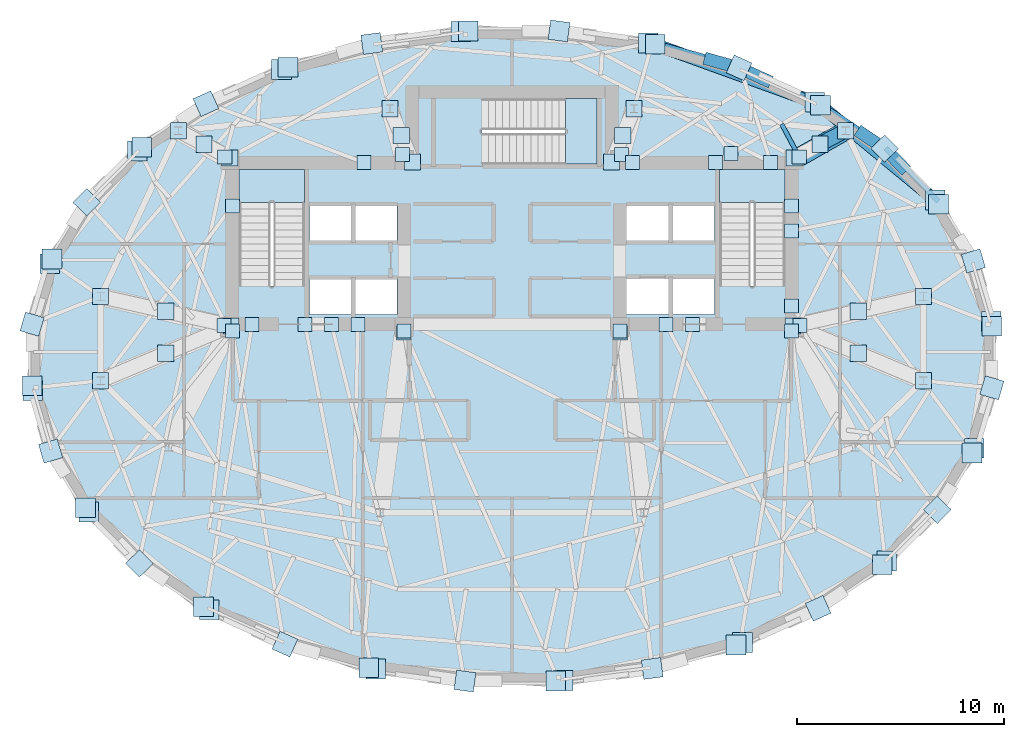
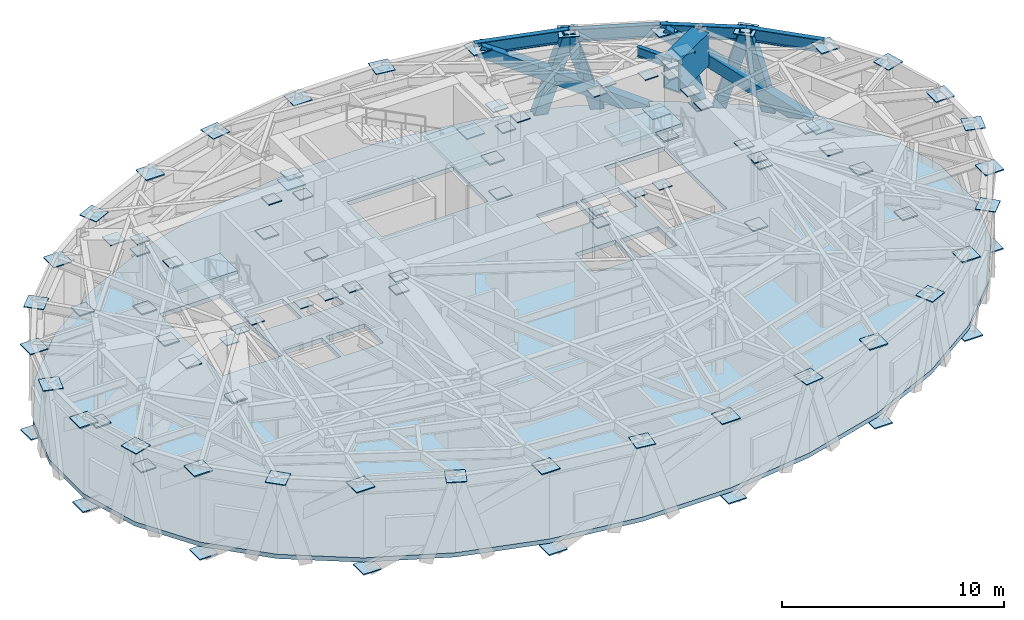
# One storey, part 5 of 12: 99 plates, 7 members, 6 beams, 4 slabs, 3 elements without a shape of their own.
"""IFC4 building model written with IfcOpenShell, lengths in metres."""

import ifcopenshell
import ifcopenshell.guid

model = None  # the IFC model being written
_history = None  # IfcOwnerHistory: only IFC2X3 demands one
_inside = {}  # id of a spatial element -> (the spatial element, [elements in it])
_under = {}  # id of a project, library or spatial element -> (it, [spatial elements below it])
_declared = {}  # id of a project -> (the project, [libraries it declares])
_typed = {}  # id of a type object -> (the type object, [elements of that type])
_made_of = {}  # id of a material, layer set ... -> (it, [elements and type objects made of it])


def new_model(schema):
    """Start an empty IFC model of exactly this schema.

    Asked for "IFC4X3", IfcOpenShell would pick the latest addendum, in which some entities
    have other attributes; the version numbers below select the first issue.
    IFC2X3 requires an IfcOwnerHistory on every rooted entity: one is made here for all.
    """
    global model, _history
    if schema == "IFC4X3":
        model = ifcopenshell.file(schema_version=(4, 3, 0, 0))
    else:
        model = ifcopenshell.file(schema=schema)
    _inside.clear()
    _under.clear()
    _declared.clear()
    _typed.clear()
    _made_of.clear()
    _history = None
    if model.schema == "IFC2X3":
        org = make("IfcOrganization", Name="unknown")
        user = make(
            "IfcPersonAndOrganization",
            ThePerson=make("IfcPerson", FamilyName="unknown"),
            TheOrganization=org,
        )
        app = make(
            "IfcApplication",
            ApplicationDeveloper=org,
            Version="unknown",
            ApplicationFullName="unknown",
            ApplicationIdentifier="unknown",
        )
        _history = make(
            "IfcOwnerHistory",
            OwningUser=user,
            OwningApplication=app,
            ChangeAction="ADDED",
            CreationDate=0,
        )
    return model


def make(cls, **values):
    """One entity of the class cls with the attributes given. An attribute that is None is left unset."""
    return model.create_entity(
        cls, **{name: value for name, value in values.items() if value is not None}
    )


def rooted(cls, **values):
    """An entity with a GlobalId (a new one), such as an element, a storey or a relation."""
    return make(cls, GlobalId=ifcopenshell.guid.new(), OwnerHistory=_history, **values)


def si_unit(unit_type, name, prefix=None):
    """IfcSIUnit, for example si_unit("LENGTHUNIT", "METRE", prefix="MILLI")."""
    return make("IfcSIUnit", UnitType=unit_type, Prefix=prefix, Name=name)


def assignment(units):
    """IfcUnitAssignment: the units of a project."""
    return None if units is None else make("IfcUnitAssignment", Units=units)


def point(xyz):
    """IfcCartesianPoint."""
    return None if xyz is None else make("IfcCartesianPoint", Coordinates=xyz)


def direction(xyz):
    """IfcDirection."""
    return None if xyz is None else make("IfcDirection", DirectionRatios=xyz)


def frame(location, z_axis=None, x_axis=None):
    """IfcAxis2Placement3D, a coordinate frame: its origin and axes. An axis left out is left unset."""
    return make(
        "IfcAxis2Placement3D",
        Location=point(location),
        Axis=direction(z_axis),
        RefDirection=direction(x_axis),
    )


def frame_2d(location, x_axis=None):
    """IfcAxis2Placement2D, a coordinate frame in the plane: its origin and x axis."""
    return make(
        "IfcAxis2Placement2D", Location=point(location), RefDirection=direction(x_axis)
    )


def origin():
    """The frame at (0, 0, 0) with its axes left unset."""
    return frame((0.0, 0.0, 0.0))


def origin_2d():
    """The frame at (0, 0) in the plane with its x axis left unset."""
    return frame_2d((0.0, 0.0))


def place(relative_to, where):
    """IfcLocalPlacement: puts the frame where relative to a parent placement (None: the world)."""
    return make(
        "IfcLocalPlacement", PlacementRelTo=relative_to, RelativePlacement=where
    )


def context(
    kind, dimensions, precision=None, world=None, true_north=None, identifier=None
):
    """IfcGeometricRepresentationContext, for example the 3D "Model" context."""
    return make(
        "IfcGeometricRepresentationContext",
        ContextIdentifier=identifier,
        ContextType=kind,
        CoordinateSpaceDimension=dimensions,
        Precision=precision,
        WorldCoordinateSystem=world,
        TrueNorth=true_north,
    )


def subcontext(parent, identifier, kind, view, scale=None):
    """IfcGeometricRepresentationSubContext, for example "Body" below "Model"."""
    return make(
        "IfcGeometricRepresentationSubContext",
        ContextIdentifier=identifier,
        ContextType=kind,
        ParentContext=parent,
        TargetScale=scale,
        TargetView=view,
    )


def project(units=None, contexts=None):
    """IfcProject with its units and contexts."""
    return rooted(
        "IfcProject",
        Name="project",
        RepresentationContexts=contexts,
        UnitsInContext=assignment(units),
    )


def spatial(cls, under=None, at=None, **own):
    """A site, building, storey or space (cls), placed at a placement, below another one or the project."""
    s = rooted(cls, ObjectPlacement=at, **own)
    if under is not None:
        _under.setdefault(under.id(), (under, []))[1].append(s)
    return s


def polyline(points):
    """IfcPolyline through the points."""
    return make("IfcPolyline", Points=[point(p) for p in points])


def profile(cls, at=None, kind="AREA", **sizes):
    """A parametric profile (cls). Its sizes go by their IFC names, for example OverallWidth=200.0."""
    return make(cls, ProfileType=kind, Position=at, **sizes)


def rectangle(**sizes):
    """IfcRectangleProfileDef."""
    return profile("IfcRectangleProfileDef", **sizes)


def hollow_rectangle(**sizes):
    """IfcRectangleHollowProfileDef."""
    return profile("IfcRectangleHollowProfileDef", **sizes)


def hollow_circle(**sizes):
    """IfcCircleHollowProfileDef."""
    return profile("IfcCircleHollowProfileDef", **sizes)


def i_section(**sizes):
    """IfcIShapeProfileDef."""
    return profile("IfcIShapeProfileDef", **sizes)


def outline(outer, holes=None, kind="AREA"):
    """IfcArbitraryClosedProfileDef: a profile drawn as a closed curve; with holes, ...WithVoids."""
    if holes is None:
        return make("IfcArbitraryClosedProfileDef", ProfileType=kind, OuterCurve=outer)
    return make(
        "IfcArbitraryProfileDefWithVoids",
        ProfileType=kind,
        OuterCurve=outer,
        InnerCurves=holes,
    )


def extrude(swept, where, along, depth):
    """IfcExtrudedAreaSolid: the profile swept, set in the frame where, extruded along a direction by depth."""
    return make(
        "IfcExtrudedAreaSolid",
        SweptArea=swept,
        Position=where,
        ExtrudedDirection=direction(along),
        Depth=depth,
    )


def shape(context_of_items, identifier, shape_type, items):
    """IfcShapeRepresentation: the items that make up one representation, for example the "Body"."""
    return make(
        "IfcShapeRepresentation",
        ContextOfItems=context_of_items,
        RepresentationIdentifier=identifier,
        RepresentationType=shape_type,
        Items=items,
    )


def material(Name=None, Category=None):
    """IfcMaterial."""
    return make("IfcMaterial", Name=Name, Category=Category)


def layer(
    of_material, thickness, ventilated=None, Name=None, Category=None, Priority=None
):
    """IfcMaterialLayer: one layer of a wall or slab, of a material (None: an air gap)."""
    return make(
        "IfcMaterialLayer",
        Material=of_material,
        LayerThickness=thickness,
        IsVentilated=ventilated,
        Name=Name,
        Category=Category,
        Priority=Priority,
    )


def layer_set(layers, Name=None):
    """IfcMaterialLayerSet."""
    return make("IfcMaterialLayerSet", MaterialLayers=layers, LayerSetName=Name)


def material_profile(
    of_material, cross_section, Name=None, Category=None, Priority=None
):
    """IfcMaterialProfile: a cross section and its material."""
    return make(
        "IfcMaterialProfile",
        Name=Name,
        Material=of_material,
        Profile=cross_section,
        Priority=Priority,
        Category=Category,
    )


def profile_set(profiles, Name=None, composite=None):
    """IfcMaterialProfileSet."""
    return make(
        "IfcMaterialProfileSet",
        Name=Name,
        MaterialProfiles=profiles,
        CompositeProfile=composite,
    )


def made_of(thing, what):
    """Note that an element or type object is made of a material, layer set ...; save() writes the relation."""
    if what is not None:
        _made_of.setdefault(what.id(), (what, []))[1].append(thing)
    return thing


def type_object(cls, material=None, **own):
    """A type object (cls), such as IfcWallType, which elements share."""
    return made_of(rooted(cls, **own), material)


def element(
    cls,
    number,
    at=None,
    inside=None,
    cuts=None,
    type_object=None,
    material=None,
    context=None,
    identifier="Body",
    shape_type=None,
    held_by="IfcProductDefinitionShape",
    body=None,
    shapes=None,
    **own,
):
    """One element of the class cls, such as IfcWall. Its Tag is "e" and its number.

    at: its placement. inside: the storey or other place that contains it. cuts: it is an
    opening in that element (IfcRelVoidsElement). A single representation is given by context,
    identifier, shape_type and body (its items); several are given by shapes. held_by: the class
    of the entity that holds the representations. save() writes the other relations.
    """
    e = rooted(cls, Tag="e%d" % number, ObjectPlacement=at, **own)
    if body is not None:
        shapes = [shape(context, identifier, shape_type, body)]
    if shapes is not None:
        e.Representation = make(held_by, Representations=shapes)
    if inside is not None:
        _inside.setdefault(inside.id(), (inside, []))[1].append(e)
    if cuts is not None:
        rooted(
            "IfcRelVoidsElement", RelatingBuildingElement=cuts, RelatedOpeningElement=e
        )
    if type_object is not None:
        _typed.setdefault(type_object.id(), (type_object, []))[1].append(e)
    return made_of(e, material)


def aggregate(whole, parts):
    """IfcRelAggregates: a whole, such as a stair, and the parts it consists of."""
    return rooted("IfcRelAggregates", RelatingObject=whole, RelatedObjects=parts)


def save(model, path):
    """Write the relations noted so far, then the file.

    IfcRelAggregates (storeys below a building ...), IfcRelContainedInSpatialStructure (elements
    in a storey), IfcRelDefinesByType, IfcRelAssociatesMaterial and IfcRelDeclares: one each for
    every whole, place, type object, material and project.
    """
    for whole, parts in _under.values():
        aggregate(whole, parts)
    for where, things in _inside.values():
        rooted(
            "IfcRelContainedInSpatialStructure",
            RelatedElements=things,
            RelatingStructure=where,
        )
    for kind, things in _typed.values():
        rooted("IfcRelDefinesByType", RelatedObjects=things, RelatingType=kind)
    for what, things in _made_of.values():
        rooted("IfcRelAssociatesMaterial", RelatedObjects=things, RelatingMaterial=what)
    for by, libraries in _declared.values():
        rooted("IfcRelDeclares", RelatingContext=by, RelatedDefinitions=libraries)
    model.write(path)


model = new_model("IFC4")

# Units and contexts
model_context = context("Model", 3, precision=1e-05, world=origin(), true_north=direction((0.0, 1.0)))
body_context = subcontext(model_context, "Body", "Model", "MODEL_VIEW")
ifc_project = project(units=[si_unit("LENGTHUNIT", "METRE"), si_unit("AREAUNIT", "SQUARE_METRE"), si_unit("VOLUMEUNIT", "CUBIC_METRE"), si_unit("PLANEANGLEUNIT", "RADIAN"), si_unit("MASSUNIT", "GRAM", prefix="KILO")], contexts=[model_context])

# Site, building, storey
site_placement = place(None, origin())
site = spatial("IfcSite", under=ifc_project, at=site_placement, CompositionType="ELEMENT")
building_placement = place(site_placement, origin())
building = spatial("IfcBuilding", under=site, at=building_placement, Name="Keldmark Tower", CompositionType="ELEMENT")
storey_placement = place(building_placement, frame((0.0, 0.0, 201.39990234375)))
storey = spatial("IfcBuildingStorey", under=building, at=storey_placement, Name="L56", CompositionType="ELEMENT", Elevation=201.39990234375)

# Members
ifc_material_1 = material(Name="Steel ASTM A572 Grade 50", Category="steel")
ifc_material_profile_1 = material_profile(ifc_material_1, hollow_rectangle(XDim=0.60009765625, YDim=0.60009765625, WallThickness=0.034912109375, at=origin_2d()), Name="BOX600X600X35")
ifc_profile_set_1 = profile_set([ifc_material_profile_1], Name="Steel ASTM A572 Grade 50")
member_type_1 = type_object("IfcMemberType", Name="Belt Truss Diagonal Brace BOX600", PredefinedType="BRACE", material=ifc_profile_set_1)
member_1_placement = place(storey_placement, frame((20.394287109375, 7.522705078125, -0.539794921875), z_axis=(-0.652397812884, 0.538571661433, 0.533214458961), x_axis=(-0.636624498891, -0.771173941087, 0.0)))
element("IfcMember", 1, at=member_1_placement, inside=storey, type_object=member_type_1, Name="L56 Perimeter Belt Truss Brace 02", PredefinedType="BRACE", context=body_context, shape_type="SweptSolid", body=[
    extrude(hollow_rectangle(XDim=0.60009765625, YDim=0.60009765625, WallThickness=0.034912109375, at=origin_2d()), origin(), (0.0, 0.0, 1.0), 8.4765625),
])
member_2_placement = place(storey_placement, frame((14.59130859375, 12.236083984375, -0.539794921875), z_axis=(-0.822891546381, 0.297931324951, 0.483824791125), x_axis=(-0.340428793388, -0.940270299772, 0.0)))
element("IfcMember", 2, at=member_2_placement, inside=storey, type_object=member_type_1, Name="L56 Perimeter Belt Truss Brace 03", PredefinedType="BRACE", context=body_context, shape_type="SweptSolid", body=[
    extrude(hollow_rectangle(XDim=0.60009765625, YDim=0.60009765625, WallThickness=0.034912109375, at=origin_2d()), origin(), (0.0, 0.0, 1.0), 9.341796875),
])
ifc_material_2 = material(Name="Steel ASTM A572 Grade 50", Category="steel")
ifc_material_profile_2 = material_profile(ifc_material_2, hollow_rectangle(XDim=0.60009765625, YDim=0.60009765625, WallThickness=0.034912109375, at=origin_2d()), Name="BOX600X600X35")
ifc_profile_set_2 = profile_set([ifc_material_profile_2], Name="Steel ASTM A572 Grade 50")
member_type_2 = type_object("IfcMemberType", Name="Diagrid Zone 4 Brace BOX600X600X35", PredefinedType="BRACE", material=ifc_profile_set_2)
member_3_placement = place(storey_placement, frame((18.80419921875, 9.13671875, -0.31982421875), z_axis=(-0.182345444701, 0.185029317047, 0.965667795171), x_axis=(-0.712253574042, -0.701922250869, 0.0)))
element("IfcMember", 3, at=member_3_placement, inside=storey, type_object=member_type_2, Name="L56 Perimeter Diagrid Brace 02A", PredefinedType="BRACE", context=body_context, shape_type="SweptSolid", body=[
    extrude(hollow_rectangle(XDim=0.60009765625, YDim=0.60009765625, WallThickness=0.034912109375, at=origin_2d()), origin(), (0.0, 0.0, 1.0), 4.63916015625),
])
member_4_placement = place(storey_placement, frame((16.88818359375, 10.71533203125, -0.31982421875), z_axis=(0.230745406193, -0.156481915291, 0.960348878121), x_axis=(0.561267285166, 0.827634602106, 0.0)))
element("IfcMember", 4, at=member_4_placement, inside=storey, type_object=member_type_2, Name="L56 Perimeter Diagrid Brace 02B", PredefinedType="BRACE", context=body_context, shape_type="SweptSolid", body=[
    extrude(hollow_rectangle(XDim=0.60009765625, YDim=0.60009765625, WallThickness=0.034912109375, at=origin_2d()), origin(), (0.0, 0.0, 1.0), 4.6650390625),
])
member_5_placement = place(storey_placement, frame((12.21142578125, 13.314453125, -0.31982421875), z_axis=(-0.269923042399, 0.122261709718, 0.955088281532), x_axis=(-0.412598307306, -0.910913078624, 0.0)))
element("IfcMember", 5, at=member_5_placement, inside=storey, type_object=member_type_2, Name="L56 Perimeter Diagrid Brace 03A", PredefinedType="BRACE", context=body_context, shape_type="SweptSolid", body=[
    extrude(hollow_rectangle(XDim=0.60009765625, YDim=0.60009765625, WallThickness=0.034912109375, at=origin_2d()), origin(), (0.0, 0.0, 1.0), 4.690673828125),
])
member_6_placement = place(storey_placement, frame((9.548583984375, 14.276611328125, -0.31982421875), z_axis=(0.29848156576, -0.083829747162, 0.950726736971), x_axis=(0.270392272774, 0.96275023699, 0.0)))
element("IfcMember", 6, at=member_6_placement, inside=storey, type_object=member_type_2, Name="L56 Perimeter Diagrid Brace 03B", PredefinedType="BRACE", context=body_context, shape_type="SweptSolid", body=[
    extrude(hollow_rectangle(XDim=0.60009765625, YDim=0.60009765625, WallThickness=0.034912109375, at=origin_2d()), origin(), (0.0, 0.0, 1.0), 4.712158203125),
])
ifc_material_3 = material(Name="Steel ASTM A572 Grade 50", Category="steel")
ifc_material_profile_3 = material_profile(ifc_material_3, hollow_circle(Radius=0.35009765625, WallThickness=0.031982421875, at=origin_2d()), Name="CHS700X32")
ifc_profile_set_3 = profile_set([ifc_material_profile_3], Name="Steel ASTM A572 Grade 50")
member_type_3 = type_object("IfcMemberType", Name="Outrigger Web Strut CHS700X32", PredefinedType="STRUT", material=ifc_profile_set_3)
member_7_placement = place(storey_placement, frame((16.08154296875, 10.861083984375, 0.150146484375), z_axis=(-0.30418710682, -0.160712786661, 0.93895772229), x_axis=(0.467144130585, -0.884181181241, 0.0)))
element("IfcMember", 7, at=member_7_placement, inside=storey, type_object=member_type_3, Name="L56 Core Outrigger Truss Strut 07B", PredefinedType="STRUT", context=body_context, shape_type="SweptSolid", body=[
    extrude(hollow_circle(Radius=0.35009765625, WallThickness=0.031982421875, at=origin_2d()), origin(), (0.0, 0.0, 1.0), 4.078857421875),
])

# Beams
ifc_material_4 = material(Name="Steel ASTM A572 Grade 50", Category="steel")
ifc_material_profile_4 = material_profile(ifc_material_4, hollow_rectangle(XDim=0.89990234375, YDim=1.800048828125, WallThickness=0.074951171875, at=origin_2d()), Name="TBOX1800X900X75")
ifc_profile_set_4 = profile_set([ifc_material_profile_4], Name="Steel ASTM A572 Grade 50")
beam_type_1 = type_object("IfcBeamType", Name="Perimeter Transfer Box Girder 1800x900", PredefinedType="USERDEFINED", material=ifc_profile_set_4)
beam_1_placement = place(storey_placement, frame((16.08154296875, 10.861083984375, 3.380126953125), z_axis=(-0.869274139582, -0.49433032504, 0.0), x_axis=(0.49433032504, -0.869274139582, 0.0)))
element("IfcBeam", 8, at=beam_1_placement, inside=storey, type_object=beam_type_1, Name="L56 Upper Crown Transfer Box Girder UTB-TC-E4", ObjectType="TRANSFER GIRDER", PredefinedType="USERDEFINED", context=body_context, shape_type="SweptSolid", body=[
    extrude(hollow_rectangle(XDim=0.89990234375, YDim=1.800048828125, WallThickness=0.074951171875, at=origin_2d()), origin(), (0.0, 0.0, 1.0), 2.57470703125),
])
ifc_material_5 = material(Name="Steel ASTM A992 Grade 50", Category="steel")
ifc_material_profile_5 = material_profile(ifc_material_5, i_section(OverallWidth=0.2099609375, OverallDepth=0.537109375, WebThickness=0.010986328125, FlangeThickness=0.017333984375, at=origin_2d()), Name="W21X68")
ifc_profile_set_5 = profile_set([ifc_material_profile_5], Name="Steel ASTM A992 Grade 50")
beam_type_2 = type_object("IfcBeamType", Name="Radial Tie Girder W21X68", PredefinedType="BEAM", material=ifc_profile_set_5)
beam_2_placement = place(storey_placement, frame((13.843505859375, 9.58837890625, 4.01171875), z_axis=(-0.468610030042, 0.883405139075, 0.0), x_axis=(-0.883405139075, -0.468610030042, 0.0)))
element("IfcBeam", 9, at=beam_2_placement, inside=storey, type_object=beam_type_2, Name="L56 Framing Pin Header PH-011", PredefinedType="BEAM", context=body_context, shape_type="SweptSolid", body=[
    extrude(i_section(OverallWidth=0.2099609375, OverallDepth=0.537109375, WebThickness=0.010986328125, FlangeThickness=0.017333984375, at=origin_2d()), origin(), (0.0, 0.0, 1.0), 1.801025390625),
])
ifc_material_6 = material(Name="Steel ASTM A992 Grade 50", Category="steel")
ifc_material_profile_6 = material_profile(ifc_material_6, i_section(OverallWidth=0.256103515625, OverallDepth=0.693115234375, WebThickness=0.014404296875, FlangeThickness=0.023681640625, at=origin_2d()), Name="W27X114")
ifc_profile_set_6 = profile_set([ifc_material_profile_6], Name="Steel ASTM A992 Grade 50")
beam_type_3 = type_object("IfcBeamType", Name="Spandrel Ring Beam W27X114", PredefinedType="SPANDREL", material=ifc_profile_set_6)
beam_3_placement = place(storey_placement, frame((20.548828125, 7.447998046875, 3.93359375), z_axis=(-0.701888492814, 0.712286840855, 0.0), x_axis=(-0.712286840855, -0.701888492814, 0.0)))
element("IfcBeam", 10, at=beam_3_placement, inside=storey, type_object=beam_type_3, Name="L56 Perimeter Spandrel Ring Beam SRB-03", PredefinedType="SPANDREL", context=body_context, shape_type="SweptSolid", body=[
    extrude(i_section(OverallWidth=0.256103515625, OverallDepth=0.693115234375, WebThickness=0.014404296875, FlangeThickness=0.023681640625, at=origin_2d()), origin(), (0.0, 0.0, 1.0), 3.61572265625),
])
beam_4_placement = place(storey_placement, frame((18.010986328125, 10.0234375, 3.93359375), z_axis=(-0.827625248145, 0.5612810781, 0.0), x_axis=(-0.5612810781, -0.827625248145, 0.0)))
element("IfcBeam", 11, at=beam_4_placement, inside=storey, type_object=beam_type_3, Name="L56 Perimeter Spandrel Ring Beam SRB-04", PredefinedType="SPANDREL", context=body_context, shape_type="SweptSolid", body=[
    extrude(i_section(OverallWidth=0.256103515625, OverallDepth=0.693115234375, WebThickness=0.014404296875, FlangeThickness=0.023681640625, at=origin_2d()), origin(), (0.0, 0.0, 1.0), 3.902099609375),
])
beam_5_placement = place(storey_placement, frame((14.781494140625, 12.213623046875, 3.93359375), z_axis=(-0.910881102331, 0.412668895624, 0.0), x_axis=(-0.412668895624, -0.910881102331, 0.0)))
element("IfcBeam", 12, at=beam_5_placement, inside=storey, type_object=beam_type_3, Name="L56 Perimeter Spandrel Ring Beam SRB-05", PredefinedType="SPANDREL", context=body_context, shape_type="SweptSolid", body=[
    extrude(i_section(OverallWidth=0.256103515625, OverallDepth=0.693115234375, WebThickness=0.014404296875, FlangeThickness=0.023681640625, at=origin_2d()), origin(), (0.0, 0.0, 1.0), 4.169677734375),
])
beam_6_placement = place(storey_placement, frame((10.9833984375, 13.934326171875, 3.93359375), z_axis=(-0.962739808547, 0.270429401209, 0.0), x_axis=(-0.270429401209, -0.962739808547, 0.0)))
element("IfcBeam", 13, at=beam_6_placement, inside=storey, type_object=beam_type_3, Name="L56 Perimeter Spandrel Ring Beam SRB-06", PredefinedType="SPANDREL", context=body_context, shape_type="SweptSolid", body=[
    extrude(i_section(OverallWidth=0.256103515625, OverallDepth=0.693115234375, WebThickness=0.014404296875, FlangeThickness=0.023681640625, at=origin_2d()), origin(), (0.0, 0.0, 1.0), 4.383056640625),
])

# Plates
ifc_material_7 = material(Name="Steel ASTM A572 Grade 50", Category="steel")
ifc_layer_1 = layer(ifc_material_7, 0.06005859375)
ifc_layer_set_1 = layer_set([ifc_layer_1], Name="Steel ASTM A572 Grade 50")
plate_type_1 = type_object("IfcPlateType", Name="Belt Truss Kink Node Assembly KN01 60 mm", PredefinedType="USERDEFINED", material=ifc_layer_set_1)
for number, where, z_axis, x_axis, name in (
    (14, (23.092529296875, 1.664306640625, -0.56982421875), (0.0, 0.0, 1.0), (1.0, 0.0, 0.0), "L56 Belt Truss Kink Node 01A"),
    (15, (20.561279296875, 7.316162109375, 3.949951171875), (0.0, 0.0, 1.0), (1.0, 0.0, 0.0), "L56 Belt Truss Kink Node 01B"),
    (16, (20.394287109375, 7.522705078125, -0.56982421875), (0.0, 0.0, 1.0), (1.0, 0.0, 0.0), "L56 Belt Truss Kink Node 02A"),
    (17, (14.8642578125, 12.087890625, 3.949951171875), (0.0, 0.0, 1.0), (1.0, 0.0, 0.0), "L56 Belt Truss Kink Node 02B"),
    (18, (14.59130859375, 12.236083984375, -0.56982421875), (0.0, 0.0, 1.0), (1.0, 0.0, 0.0), "L56 Belt Truss Kink Node 03A"),
    (19, (6.904052734375, 15.019287109375, 3.949951171875), (0.0, 0.0, 1.0), (1.0, 0.0, 0.0), "L56 Belt Truss Kink Node 03B"),
    (20, (6.56689453125, 15.08642578125, -0.56982421875), (0.0, 0.0, 1.0), (1.0, 0.0, 0.0), "L56 Belt Truss Kink Node 04A"),
    (21, (-2.10693359375, 15.664306640625, 3.949951171875), (0.0, 0.0, 1.0), (1.0, 0.0, 0.0), "L56 Belt Truss Kink Node 04B"),
    (22, (-2.45703125, 15.639892578125, -0.56982421875), (0.0, 0.0, 1.0), (1.0, 0.0, 0.0), "L56 Belt Truss Kink Node 05A"),
    (23, (-10.79736328125, 13.92431640625, 3.949951171875), (0.0, 0.0, 1.0), (1.0, 0.0, 0.0), "L56 Belt Truss Kink Node 05B"),
    (24, (-11.107177734375, 13.812744140625, -0.56982421875), (0.0, 0.0, 1.0), (1.0, 0.0, 0.0), "L56 Belt Truss Kink Node 06A"),
    (25, (-17.84375, 10.064697265625, 3.949951171875), (0.0, 0.0, 1.0), (1.0, 0.0, 0.0), "L56 Belt Truss Kink Node 06B"),
    (26, (-18.066162109375, 9.88232421875, -0.56982421875), (0.0, 0.0, 1.0), (1.0, 0.0, 0.0), "L56 Belt Truss Kink Node 07A"),
    (27, (-22.173828125, 4.672607421875, 3.949951171875), (0.0, 0.0, 1.0), (1.0, 0.0, 0.0), "L56 Belt Truss Kink Node 07B"),
    (28, (-22.27490234375, 4.447509765625, -0.56982421875), (0.0, 0.0, 1.0), (1.0, 0.0, 0.0), "L56 Belt Truss Kink Node 08A"),
    (29, (-23.128173828125, -1.4306640625, 3.949951171875), (0.0, 0.0, 1.0), (1.0, 0.0, 0.0), "L56 Belt Truss Kink Node 08B"),
    (30, (-23.092529296875, -1.664306640625, -0.56982421875), (0.0, 0.0, 1.0), (1.0, 0.0, 0.0), "L56 Belt Truss Kink Node 09A"),
    (31, (-20.561279296875, -7.316162109375, 3.949951171875), (0.0, 0.0, 1.0), (1.0, 0.0, 0.0), "L56 Belt Truss Kink Node 09B"),
    (32, (-20.394287109375, -7.522705078125, -0.56982421875), (0.0, 0.0, 1.0), (1.0, 0.0, 0.0), "L56 Belt Truss Kink Node 10A"),
    (33, (-14.8642578125, -12.087890625, 3.949951171875), (0.0, 0.0, 1.0), (1.0, 0.0, 0.0), "L56 Belt Truss Kink Node 10B"),
    (34, (-14.59130859375, -12.236083984375, -0.56982421875), (0.0, 0.0, 1.0), (1.0, 0.0, 0.0), "L56 Belt Truss Kink Node 11A"),
    (35, (-6.904052734375, -15.019287109375, 3.949951171875), (0.0, 0.0, 1.0), (1.0, 0.0, 0.0), "L56 Belt Truss Kink Node 11B"),
    (36, (-6.56689453125, -15.08642578125, -0.56982421875), (0.0, 0.0, 1.0), (1.0, 0.0, 0.0), "L56 Belt Truss Kink Node 12A"),
    (37, (2.10693359375, -15.664306640625, 3.949951171875), (0.0, 0.0, 1.0), (1.0, 0.0, 0.0), "L56 Belt Truss Kink Node 12B"),
    (38, (2.45703125, -15.639892578125, -0.56982421875), (0.0, 0.0, 1.0), (1.0, 0.0, 0.0), "L56 Belt Truss Kink Node 13A"),
    (39, (10.79736328125, -13.92431640625, 3.949951171875), (0.0, 0.0, 1.0), (1.0, 0.0, 0.0), "L56 Belt Truss Kink Node 13B"),
    (40, (11.107177734375, -13.812744140625, -0.56982421875), (0.0, 0.0, 1.0), (1.0, 0.0, 0.0), "L56 Belt Truss Kink Node 14A"),
    (41, (17.84375, -10.064697265625, 3.949951171875), (0.0, 0.0, 1.0), (1.0, 0.0, 0.0), "L56 Belt Truss Kink Node 14B"),
    (42, (18.066162109375, -9.88232421875, -0.56982421875), (0.0, 0.0, 1.0), (1.0, 0.0, 0.0), "L56 Belt Truss Kink Node 15A"),
    (43, (22.173828125, -4.672607421875, 3.949951171875), (0.0, 0.0, 1.0), (1.0, 0.0, 0.0), "L56 Belt Truss Kink Node 15B"),
    (44, (22.27490234375, -4.447509765625, -0.56982421875), (0.0, 0.0, 1.0), (1.0, 0.0, 0.0), "L56 Belt Truss Kink Node 16A"),
    (45, (23.128173828125, 1.4306640625, 3.949951171875), (0.0, 0.0, 1.0), (1.0, 0.0, 0.0), "L56 Belt Truss Kink Node 16B"),
):
    element("IfcPlate", number, at=place(storey_placement, frame(where, z_axis=z_axis, x_axis=x_axis)), inside=storey, type_object=plate_type_1, Name=name, ObjectType="CAP PLATE", PredefinedType="USERDEFINED", context=body_context, shape_type="SweptSolid", body=[
        extrude(rectangle(XDim=0.949951171875, YDim=0.949951171875, at=origin_2d()), origin(), (0.0, 0.0, 1.0), 0.06005859375),
    ])
for number, where, z_axis, x_axis, name in (
    (46, (-13.550048828125, 1.449951171875, 0.1201171875), (0.0, 0.0, 1.0), (1.0, 0.0, 0.0), "L56 Outrigger Node Cap 01A0"),
    (47, (-16.689208984375, 2.15966796875, 3.949951171875), (0.0, 0.0, 1.0), (1.0, 0.0, 0.0), "L56 Outrigger Node Cap 01A1"),
    (48, (-19.828369140625, 2.869140625, 0.1201171875), (0.0, 0.0, 1.0), (1.0, 0.0, 0.0), "L56 Outrigger Node Cap 01B0"),
    (49, (-16.689208984375, 0.13037109375, 3.949951171875), (0.0, 0.0, 1.0), (1.0, 0.0, 0.0), "L56 Outrigger Node Cap 02A1"),
    (50, (-19.828369140625, -1.189208984375, 0.1201171875), (0.0, 0.0, 1.0), (1.0, 0.0, 0.0), "L56 Outrigger Node Cap 02B0"),
    (51, (-13.60009765625, 9.550048828125, 0.1201171875), (0.0, 0.0, 1.0), (1.0, 0.0, 0.0), "L56 Outrigger Node Cap 03A0"),
    (52, (-14.8408203125, 10.20556640625, 3.949951171875), (0.0, 0.0, 1.0), (1.0, 0.0, 0.0), "L56 Outrigger Node Cap 03A1"),
    (53, (-16.08154296875, 10.861083984375, 0.1201171875), (0.0, 0.0, 1.0), (1.0, 0.0, 0.0), "L56 Outrigger Node Cap 03B0"),
    (54, (-4.800048828125, 9.35009765625, 0.1201171875), (0.0, 0.0, 1.0), (1.0, 0.0, 0.0), "L56 Outrigger Node Cap 04A0"),
    (55, (-5.340087890625, 10.632568359375, 3.949951171875), (0.0, 0.0, 1.0), (1.0, 0.0, 0.0), "L56 Outrigger Node Cap 04A1"),
    (56, (-5.880126953125, 11.915283203125, 0.1201171875), (0.0, 0.0, 1.0), (1.0, 0.0, 0.0), "L56 Outrigger Node Cap 04B0"),
    (57, (13.550048828125, 1.449951171875, 0.1201171875), (0.0, 0.0, 1.0), (1.0, 0.0, 0.0), "L56 Outrigger Node Cap 05A0"),
    (58, (16.689208984375, 2.15966796875, 3.949951171875), (0.0, 0.0, 1.0), (1.0, 0.0, 0.0), "L56 Outrigger Node Cap 05A1"),
    (59, (19.828369140625, 2.869140625, 0.1201171875), (0.0, 0.0, 1.0), (1.0, 0.0, 0.0), "L56 Outrigger Node Cap 05B0"),
    (60, (16.689208984375, 0.13037109375, 3.949951171875), (0.0, 0.0, 1.0), (1.0, 0.0, 0.0), "L56 Outrigger Node Cap 06A1"),
    (61, (19.828369140625, -1.189208984375, 0.1201171875), (0.0, 0.0, 1.0), (1.0, 0.0, 0.0), "L56 Outrigger Node Cap 06B0"),
    (62, (13.60009765625, 9.550048828125, 0.1201171875), (0.0, 0.0, 1.0), (1.0, 0.0, 0.0), "L56 Outrigger Node Cap 07A0"),
    (63, (14.8408203125, 10.20556640625, 3.949951171875), (0.0, 0.0, 1.0), (1.0, 0.0, 0.0), "L56 Outrigger Node Cap 07A1"),
    (64, (16.08154296875, 10.861083984375, 0.1201171875), (0.0, 0.0, 1.0), (1.0, 0.0, 0.0), "L56 Outrigger Node Cap 07B0"),
    (65, (4.800048828125, 9.35009765625, 0.1201171875), (0.0, 0.0, 1.0), (1.0, 0.0, 0.0), "L56 Outrigger Node Cap 08A0"),
    (66, (5.340087890625, 10.632568359375, 3.949951171875), (0.0, 0.0, 1.0), (1.0, 0.0, 0.0), "L56 Outrigger Node Cap 08A1"),
    (67, (5.880126953125, 11.915283203125, 0.1201171875), (0.0, 0.0, 1.0), (1.0, 0.0, 0.0), "L56 Outrigger Node Cap 08B0"),
):
    element("IfcPlate", number, at=place(storey_placement, frame(where, z_axis=z_axis, x_axis=x_axis)), inside=storey, type_object=plate_type_1, Name=name, ObjectType="CAP PLATE", PredefinedType="USERDEFINED", context=body_context, shape_type="SweptSolid", body=[
        extrude(rectangle(XDim=0.780029296875, YDim=0.780029296875, at=origin_2d()), origin(), (0.0, 0.0, 1.0), 0.06005859375),
    ])
for number, where, z_axis, x_axis, name in (
    (68, (13.87255859375, 1.46435546875, 3.3525390625), (0.0, 0.0, 1.0), (1.0, 0.0, 0.0), "L56 Core Wall Cast-In Embed Plate 1643"),
    (69, (13.843505859375, 9.58837890625, 3.3525390625), (0.0, 0.0, 1.0), (1.0, 0.0, 0.0), "L56 Core Wall Cast-In Embed Plate 1644"),
    (70, (5.2744140625, 9.719970703125, 3.3525390625), (0.0, 0.0, 1.0), (1.0, 0.0, 0.0), "L56 Core Wall Cast-In Embed Plate 1645"),
    (71, (-5.2744140625, 9.719970703125, 3.3525390625), (0.0, 0.0, 1.0), (1.0, 0.0, 0.0), "L56 Core Wall Cast-In Embed Plate 1646"),
    (72, (-13.843505859375, 9.58837890625, 3.3525390625), (0.0, 0.0, 1.0), (1.0, 0.0, 0.0), "L56 Core Wall Cast-In Embed Plate 1647"),
    (73, (-13.87255859375, 1.46435546875, 3.3525390625), (0.0, 0.0, 1.0), (1.0, 0.0, 0.0), "L56 Core Wall Cast-In Embed Plate 1648"),
    (74, (-5.235595703125, 1.122314453125, 3.3525390625), (0.0, 0.0, 1.0), (1.0, 0.0, 0.0), "L56 Core Wall Cast-In Embed Plate 1649"),
    (75, (5.235595703125, 1.122314453125, 3.3525390625), (0.0, 0.0, 1.0), (1.0, 0.0, 0.0), "L56 Core Wall Cast-In Embed Plate 1650"),
    (76, (-13.47509765625, 1.199951171875, 3.984375), (0.0, 0.0, 1.0), (1.0, 0.0, 0.0), "L56 Core Wall Cast-In Embed Plate 1651"),
    (77, (-8.699951171875, 1.52490234375, 3.984375), (0.0, 0.0, 1.0), (1.0, 0.0, 0.0), "L56 Core Wall Cast-In Embed Plate 1652"),
    (78, (8.699951171875, 1.52490234375, 3.984375), (0.0, 0.0, 1.0), (1.0, 0.0, 0.0), "L56 Core Wall Cast-In Embed Plate 1653"),
    (79, (13.47509765625, 1.199951171875, 3.984375), (0.0, 0.0, 1.0), (1.0, 0.0, 0.0), "L56 Core Wall Cast-In Embed Plate 1654"),
    (80, (-7.425048828125, 1.52490234375, 3.984375), (0.0, 0.0, 1.0), (1.0, 0.0, 0.0), "L56 Core Wall Cast-In Embed Plate 1655"),
    (81, (5.199951171875, 1.199951171875, 3.984375), (0.0, 0.0, 1.0), (1.0, 0.0, 0.0), "L56 Core Wall Cast-In Embed Plate 1656"),
    (82, (13.47509765625, 6.028564453125, 3.984375), (0.0, 0.0, 1.0), (1.0, 0.0, 0.0), "L56 Core Wall Cast-In Embed Plate 1657"),
    (83, (13.843505859375, 9.58837890625, 3.984375), (0.0, 0.0, 1.0), (1.0, 0.0, 0.0), "L56 Core Wall Cast-In Embed Plate 1658"),
    (84, (9.8037109375, 9.324951171875, 3.984375), (0.0, 0.0, 1.0), (1.0, 0.0, 0.0), "L56 Core Wall Cast-In Embed Plate 1659"),
    (85, (10.55029296875, 9.75830078125, 3.984375), (0.0, 0.0, 1.0), (1.0, 0.0, 0.0), "L56 Core Wall Cast-In Embed Plate 1660"),
    (86, (5.80712890625, 9.324951171875, 3.984375), (0.0, 0.0, 1.0), (1.0, 0.0, 0.0), "L56 Core Wall Cast-In Embed Plate 1661"),
    (87, (12.468017578125, 9.324951171875, 3.984375), (0.0, 0.0, 1.0), (1.0, 0.0, 0.0), "L56 Core Wall Cast-In Embed Plate 1662"),
    (88, (-13.843505859375, 9.58837890625, 3.984375), (0.0, 0.0, 1.0), (1.0, 0.0, 0.0), "L56 Core Wall Cast-In Embed Plate 1663"),
    (89, (-7.139404296875, 9.324951171875, 3.984375), (0.0, 0.0, 1.0), (1.0, 0.0, 0.0), "L56 Core Wall Cast-In Embed Plate 1664"),
    (90, (-13.47509765625, 7.235595703125, 3.984375), (0.0, 0.0, 1.0), (1.0, 0.0, 0.0), "L56 Core Wall Cast-In Embed Plate 1665"),
    (91, (-12.52490234375, 1.52490234375, 3.984375), (0.0, 0.0, 1.0), (1.0, 0.0, 0.0), "L56 Core Wall Cast-In Embed Plate 1666"),
    (92, (-9.97509765625, 1.52490234375, 3.984375), (0.0, 0.0, 1.0), (1.0, 0.0, 0.0), "L56 Core Wall Cast-In Embed Plate 1667"),
    (93, (-5.199951171875, 1.199951171875, 3.984375), (0.0, 0.0, 1.0), (1.0, 0.0, 0.0), "L56 Core Wall Cast-In Embed Plate 1668"),
    (94, (7.425048828125, 1.52490234375, 3.984375), (0.0, 0.0, 1.0), (1.0, 0.0, 0.0), "L56 Core Wall Cast-In Embed Plate 1669"),
    (95, (13.47509765625, 7.235595703125, 3.984375), (0.0, 0.0, 1.0), (1.0, 0.0, 0.0), "L56 Core Wall Cast-In Embed Plate 1670"),
    (96, (13.47509765625, 2.406982421875, 3.984375), (0.0, 0.0, 1.0), (1.0, 0.0, 0.0), "L56 Core Wall Cast-In Embed Plate 1671"),
):
    element("IfcPlate", number, at=place(storey_placement, frame(where, z_axis=z_axis, x_axis=x_axis)), inside=storey, type_object=plate_type_1, Name=name, ObjectType="CAP PLATE", PredefinedType="USERDEFINED", context=body_context, shape_type="SweptSolid", body=[
        extrude(rectangle(XDim=0.679931640625, YDim=0.679931640625, at=origin_2d()), origin(), (0.0, 0.0, 1.0), 0.054931640625),
    ])
ifc_material_8 = material(Name="Steel ASTM A572 Grade 50", Category="steel")
ifc_layer_2 = layer(ifc_material_8, 0.0400390625)
ifc_layer_set_2 = layer_set([ifc_layer_2], Name="Steel ASTM A572 Grade 50")
plate_type_2 = type_object("IfcPlateType", Name="Diagrid Node Assembly DN05 40 mm", PredefinedType="USERDEFINED", material=ifc_layer_set_2)
for number, where, z_axis, x_axis, name in (
    (97, (22.237060546875, 4.58056640625, 4.14013671875), (0.0, 0.0, 1.0), (-0.281504190071, 0.959559998631, 0.0), "L56 Diagrid Node Assembly 01"),
    (98, (17.958251953125, 9.9951171875, 4.14013671875), (0.0, 0.0, 1.0), (-0.701904466245, 0.712271100259, 0.0), "L56 Diagrid Node Assembly 03"),
    (99, (10.9453125, 13.887939453125, 4.14013671875), (0.0, 0.0, 1.0), (-0.910899836935, 0.412627540369, 0.0), "L56 Diagrid Node Assembly 05"),
    (100, (2.266357421875, 15.66650390625, 4.14013671875), (0.0, 0.0, 1.0), (-0.991029909341, 0.133640258869, 0.0), "L56 Diagrid Node Assembly 07"),
    (101, (-6.7578125, 15.06005859375, 4.14013671875), (0.0, 0.0, 1.0), (-0.991029909341, -0.133640258869, 0.0), "L56 Diagrid Node Assembly 09"),
    (102, (-14.753173828125, 12.16064453125, 4.14013671875), (0.0, 0.0, 1.0), (-0.910899836935, -0.412627540369, 0.0), "L56 Diagrid Node Assembly 11"),
    (103, (-20.50244140625, 7.409912109375, 4.14013671875), (0.0, 0.0, 1.0), (-0.701904466245, -0.712271100259, 0.0), "L56 Diagrid Node Assembly 13"),
    (104, (-23.13037109375, 1.53125, 4.14013671875), (0.0, 0.0, 1.0), (-0.281504190071, -0.959559998631, 0.0), "L56 Diagrid Node Assembly 15"),
    (105, (-22.237060546875, -4.58056640625, 4.14013671875), (0.0, 0.0, 1.0), (0.281504190071, -0.959559998631, 0.0), "L56 Diagrid Node Assembly 17"),
    (106, (-17.958251953125, -9.9951171875, 4.14013671875), (0.0, 0.0, 1.0), (0.701904466245, -0.712271100259, 0.0), "L56 Diagrid Node Assembly 19"),
    (107, (-10.9453125, -13.887939453125, 4.14013671875), (0.0, 0.0, 1.0), (0.910899836935, -0.412627540369, 0.0), "L56 Diagrid Node Assembly 21"),
    (108, (-2.266357421875, -15.66650390625, 4.14013671875), (0.0, 0.0, 1.0), (0.991029909341, -0.133640258869, 0.0), "L56 Diagrid Node Assembly 23"),
    (109, (6.7578125, -15.06005859375, 4.14013671875), (0.0, 0.0, 1.0), (0.991029909341, 0.133640258869, 0.0), "L56 Diagrid Node Assembly 25"),
    (110, (14.753173828125, -12.16064453125, 4.14013671875), (0.0, 0.0, 1.0), (0.910899836935, 0.412627540369, 0.0), "L56 Diagrid Node Assembly 27"),
    (111, (20.50244140625, -7.409912109375, 4.14013671875), (0.0, 0.0, 1.0), (0.701904466245, 0.712271100259, 0.0), "L56 Diagrid Node Assembly 29"),
    (112, (23.13037109375, -1.53125, 4.14013671875), (0.0, 0.0, 1.0), (0.281504190071, 0.959559998631, 0.0), "L56 Diagrid Node Assembly 31"),
):
    element("IfcPlate", number, at=place(storey_placement, frame(where, z_axis=z_axis, x_axis=x_axis)), inside=storey, type_object=plate_type_2, Name=name, ObjectType="GUSSET", PredefinedType="USERDEFINED", context=body_context, shape_type="SweptSolid", body=[
        extrude(rectangle(XDim=0.93994140625, YDim=0.93994140625, at=origin_2d()), origin(), (0.0, 0.0, 1.0), 0.0400390625),
    ])

# Slab
ifc_material_9 = material(Name="Concrete C35/45", Category="concrete")
ifc_layer_3 = layer(ifc_material_9, 0.239990234375)
ifc_layer_set_3 = layer_set([ifc_layer_3], Name="Concrete C35/45")
slab_type_1 = type_object("IfcSlabType", Name="Mechanical Diaphragm Slab 240 mm", PredefinedType="FLOOR", material=ifc_layer_set_3)
slab_1_placement = place(storey_placement, frame((0.0, 0.0, -0.239990234375)))
element("IfcSlab", 113, at=slab_1_placement, inside=storey, type_object=slab_type_1, Name="L56 Composite Structural Floor Slab", PredefinedType="FLOOR", context=body_context, shape_type="SweptSolid", body=[
    extrude(outline(polyline([(23.187744140625, 1.548583984375), (22.296630859375, 4.58642578125), (20.548828125, 7.447998046875), (18.010986328125, 10.0234375), (14.781494140625, 12.213623046875), (10.9833984375, 13.934326171875), (6.763671875, 15.11962890625), (2.28369140625, 15.723876953125), (-2.28369140625, 15.723876953125), (-6.763671875, 15.11962890625), (-10.9833984375, 13.934326171875), (-14.781494140625, 12.213623046875), (-18.010986328125, 10.0234375), (-20.548828125, 7.447998046875), (-22.296630859375, 4.58642578125), (-23.187744140625, 1.548583984375), (-23.187744140625, -1.548583984375), (-22.296630859375, -4.58642578125), (-20.548828125, -7.447998046875), (-18.010986328125, -10.0234375), (-14.781494140625, -12.213623046875), (-10.9833984375, -13.934326171875), (-6.763671875, -15.11962890625), (-2.28369140625, -15.723876953125), (2.28369140625, -15.723876953125), (6.763671875, -15.11962890625), (10.9833984375, -13.934326171875), (14.781494140625, -12.213623046875), (18.010986328125, -10.0234375), (20.548828125, -7.447998046875), (22.296630859375, -4.58642578125), (23.187744140625, -1.548583984375), (23.187744140625, 1.548583984375)]), holes=[polyline([(-10.0, 3.385009765625), (-10.0, 9.0), (-13.14990234375, 9.0), (-13.14990234375, 3.385009765625), (-10.0, 3.385009765625)]), polyline([(13.14990234375, 3.385009765625), (13.14990234375, 9.0), (10.0, 9.0), (10.0, 3.385009765625), (13.14990234375, 3.385009765625)]), polyline([(-1.43994140625, 9.25), (4.10498046875, 9.25), (4.10498046875, 12.39990234375), (-1.43994140625, 12.39990234375), (-1.43994140625, 9.25)]), polyline([(-9.75, 2.0), (-7.75, 2.0), (-7.75, 3.699951171875), (-9.75, 3.699951171875), (-9.75, 2.0)]), polyline([(7.75, 2.0), (9.75, 2.0), (9.75, 3.699951171875), (7.75, 3.699951171875), (7.75, 2.0)]), polyline([(5.449951171875, 2.0), (7.550048828125, 2.0), (7.550048828125, 3.75), (5.449951171875, 3.75), (5.449951171875, 2.0)]), polyline([(-9.75, 5.550048828125), (-7.75, 5.550048828125), (-7.75, 7.25), (-9.75, 7.25), (-9.75, 5.550048828125)]), polyline([(-7.550048828125, 5.550048828125), (-5.550048828125, 5.550048828125), (-5.550048828125, 7.25), (-7.550048828125, 7.25), (-7.550048828125, 5.550048828125)]), polyline([(-7.550048828125, 2.0), (-5.550048828125, 2.0), (-5.550048828125, 3.699951171875), (-7.550048828125, 3.699951171875), (-7.550048828125, 2.0)]), polyline([(5.449951171875, 5.550048828125), (7.550048828125, 5.550048828125), (7.550048828125, 7.25), (5.449951171875, 7.25), (5.449951171875, 5.550048828125)]), polyline([(7.75, 5.550048828125), (9.75, 5.550048828125), (9.75, 7.25), (7.75, 7.25), (7.75, 5.550048828125)])]), origin(), (0.0, 0.0, 1.0), 0.239990234375),
])

# Stair, slab
ifc_material_10 = material(Name="Concrete C40/50", Category="concrete")
stair_type = type_object("IfcStairType", Name="Precast Concrete Core Exit Stair", PredefinedType="HALF_TURN_STAIR", material=ifc_material_10)
stair_1_placement = place(storey_placement, origin())
stair_1 = element("IfcStair", 114, at=stair_1_placement, inside=storey, type_object=stair_type, Name="L56 Exit Stair ST1", PredefinedType="HALF_TURN_STAIR")
ifc_material_11 = material(Name="Concrete C40/50", Category="concrete")
ifc_layer_4 = layer(ifc_material_11, 0.199951171875)
ifc_layer_set_4 = layer_set([ifc_layer_4], Name="Concrete C40/50")
slab_type_2 = type_object("IfcSlabType", Name="Reinforced Concrete Stair Landing 200 mm", PredefinedType="LANDING", material=ifc_layer_set_4)
slab_2_placement = place(storey_placement, frame((0.0, 0.0, 2.050048828125)))
slab_2 = element("IfcSlab", 115, at=slab_2_placement, type_object=slab_type_2, Name="ST1 landing 1", PredefinedType="LANDING", context=body_context, shape_type="SweptSolid", body=[
    extrude(outline(polyline([(-10.0, 7.409912109375), (-10.0, 9.0), (-13.14990234375, 9.0), (-13.14990234375, 7.409912109375), (-10.0, 7.409912109375)])), origin(), (0.0, 0.0, 1.0), 0.199951171875),
])
aggregate(stair_1, [slab_2])

stair_2_placement = place(storey_placement, origin())
stair_2 = element("IfcStair", 116, at=stair_2_placement, inside=storey, type_object=stair_type, Name="L56 Exit Stair ST2", PredefinedType="HALF_TURN_STAIR")
slab_3_placement = place(storey_placement, frame((0.0, 0.0, 2.050048828125)))
slab_3 = element("IfcSlab", 117, at=slab_3_placement, type_object=slab_type_2, Name="ST2 landing 1", PredefinedType="LANDING", context=body_context, shape_type="SweptSolid", body=[
    extrude(outline(polyline([(13.14990234375, 7.409912109375), (13.14990234375, 9.0), (10.0, 9.0), (10.0, 7.409912109375), (13.14990234375, 7.409912109375)])), origin(), (0.0, 0.0, 1.0), 0.199951171875),
])
aggregate(stair_2, [slab_3])

stair_3_placement = place(storey_placement, origin())
stair_3 = element("IfcStair", 118, at=stair_3_placement, inside=storey, type_object=stair_type, Name="L56 Exit Stair ST3", PredefinedType="HALF_TURN_STAIR")
slab_4_placement = place(storey_placement, frame((0.0, 0.0, 2.050048828125)))
slab_4 = element("IfcSlab", 119, at=slab_4_placement, type_object=slab_type_2, Name="ST3 landing 1", PredefinedType="LANDING", context=body_context, shape_type="SweptSolid", body=[
    extrude(outline(polyline([(2.5849609375, 9.25), (4.10498046875, 9.25), (4.10498046875, 12.39990234375), (2.5849609375, 12.39990234375), (2.5849609375, 9.25)])), origin(), (0.0, 0.0, 1.0), 0.199951171875),
])
aggregate(stair_3, [slab_4])

save(model, "model.ifc")
